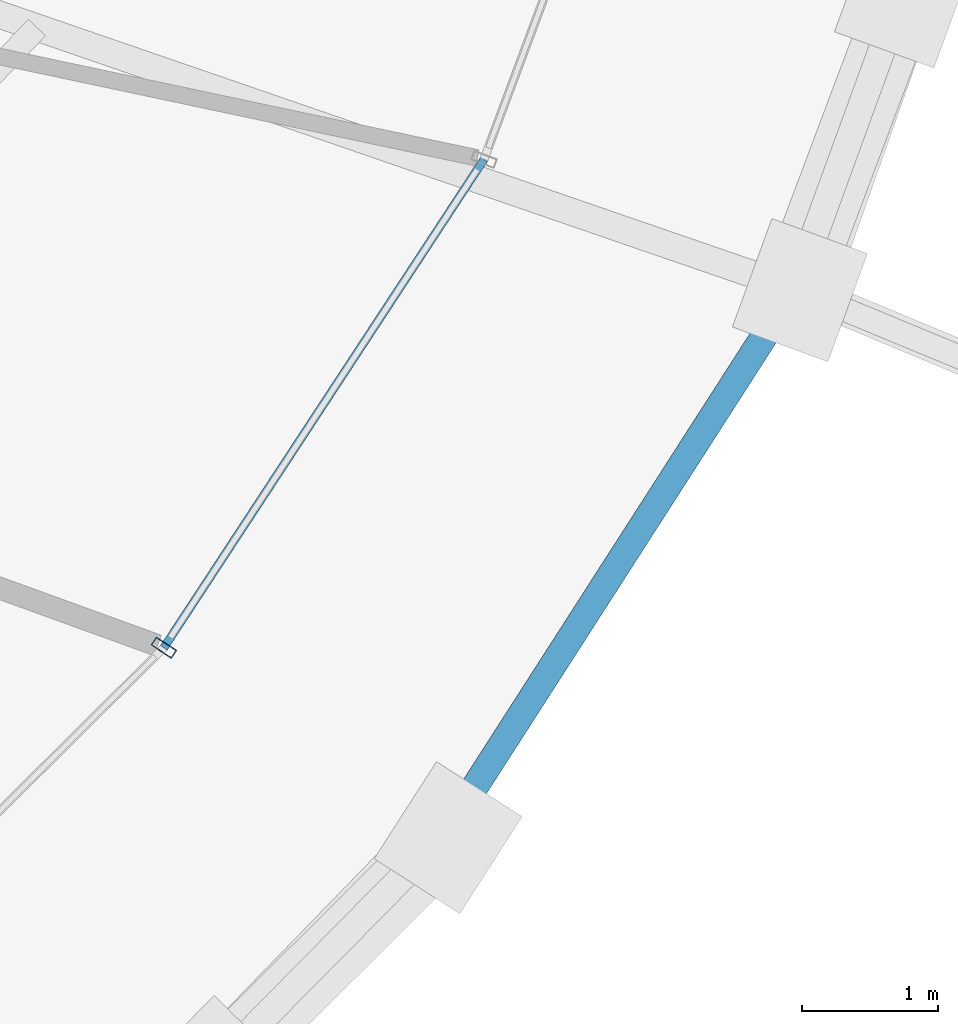
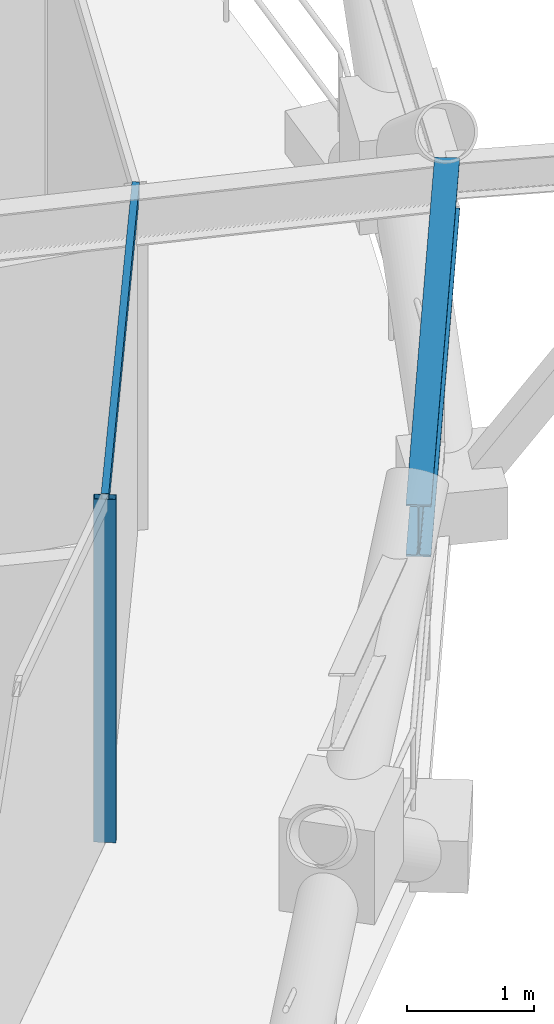
# One storey, part 8 of 20: 2 members, 1 beam, 1 element without a shape of its own.
"""IFC4 building model written with IfcOpenShell, lengths in metres."""

from ifc_helpers import new_model, si_unit, direction, frame, origin, origin_2d, place, context, subcontext, project, spatial, hollow_rectangle, i_section, extrude, material, layer, layer_set, material_profile, profile_set, type_object, element, aggregate, save


model = new_model("IFC4")

# Units and contexts
model_context = context("Model", 3, precision=1e-05, world=origin(), true_north=direction((0.0, 1.0)))
body_context = subcontext(model_context, "Body", "Model", "MODEL_VIEW")
ifc_project = project(units=[si_unit("LENGTHUNIT", "METRE"), si_unit("AREAUNIT", "SQUARE_METRE"), si_unit("VOLUMEUNIT", "CUBIC_METRE"), si_unit("PLANEANGLEUNIT", "RADIAN"), si_unit("MASSUNIT", "GRAM", prefix="KILO")], contexts=[model_context])

# Site, building, storey
site_placement = place(None, origin())
site = spatial("IfcSite", under=ifc_project, at=site_placement, CompositionType="ELEMENT")
building_placement = place(site_placement, origin())
building = spatial("IfcBuilding", under=site, at=building_placement, Name="Veldorina Hangang Commons", CompositionType="ELEMENT")
storey_placement = place(building_placement, frame((0.0, 0.0, 171.199951171875)))
storey = spatial("IfcBuildingStorey", under=building, at=storey_placement, Name="L44", CompositionType="ELEMENT", Elevation=171.199951171875)

# Beam
ifc_material_1 = material(Name="Steel SM420-TMC", Category="steel")
ifc_material_profile_1 = material_profile(ifc_material_1, i_section(OverallWidth=0.199951171875, OverallDepth=0.5, WebThickness=0.010009765625, FlangeThickness=0.01611328125, FilletRadius=0.01611328125, at=origin_2d()), Name="H-500x200x10x16")
ifc_profile_set_1 = profile_set([ifc_material_profile_1], Name="Steel SM420-TMC")
beam_type = type_object("IfcBeamType", Name="BM-RB500", PredefinedType="BEAM", material=ifc_profile_set_1)
beam_placement = place(storey_placement, frame((55.28662109375, 11.052490234375, 3.10009765625), z_axis=(0.540443205104, 0.841380497787, 0.0), x_axis=(-0.841380497787, 0.540443205104, 0.0)))
element("IfcBeam", 1, at=beam_placement, inside=storey, type_object=beam_type, Name="L44 perimeter hoop ring beam 29", PredefinedType="BEAM", context=body_context, shape_type="SweptSolid", body=[
    extrude(i_section(OverallWidth=0.199951171875, OverallDepth=0.5, WebThickness=0.010009765625, FlangeThickness=0.01611328125, FilletRadius=0.01611328125, at=origin_2d()), origin(), (0.0, 0.0, 1.0), 4.788818359375),
])

# Curtain wall, members
ifc_material_2 = material(Name="Glass Low-E Triple IGU", Category="glass")
ifc_layer = layer(ifc_material_2, 0.179931640625)
ifc_layer_set = layer_set([ifc_layer], Name="Glass Low-E Triple IGU")
curtain_wall_type = type_object("IfcCurtainWallType", Name="CW-SYS-Z2", PredefinedType="NOTDEFINED", material=ifc_layer_set)
curtain_wall_placement = place(storey_placement, origin())
curtain_wall = element("IfcCurtainWall", 2, at=curtain_wall_placement, inside=storey, type_object=curtain_wall_type, Name="L44 unitised curtain wall CW-L44-R2", PredefinedType="NOTDEFINED")
ifc_material_3 = material(Name="Aluminium Anodized AA6063-T6", Category="aluminium")
ifc_material_profile_2 = material_profile(ifc_material_3, hollow_rectangle(XDim=0.070068359375, YDim=0.179931640625, WallThickness=0.00390625, at=origin_2d()), Name="ALU-RHS-180x70x4")
ifc_profile_set_2 = profile_set([ifc_material_profile_2], Name="Aluminium Anodized AA6063-T6")
member_type_1 = type_object("IfcMemberType", Name="CW-MUL-180", PredefinedType="MULLION", material=ifc_profile_set_2)
member_1_placement = place(storey_placement, frame((53.2255859375, 12.4365234375, 0.0), z_axis=(0.0, 0.0, 1.0), x_axis=(0.548264037292, 0.836305294383, 0.0)))
member_1 = element("IfcMember", 3, at=member_1_placement, type_object=member_type_1, Name="CW-L44-R2 vertical mullion 2", PredefinedType="MULLION", context=body_context, shape_type="SweptSolid", body=[
    extrude(hollow_rectangle(XDim=0.070068359375, YDim=0.179931640625, WallThickness=0.00390625, at=origin_2d()), origin(), (0.0, 0.0, 1.0), 3.31005859375),
])
ifc_material_profile_3 = material_profile(ifc_material_3, hollow_rectangle(XDim=0.06005859375, YDim=0.139892578125, WallThickness=0.00341796875, at=origin_2d()), Name="ALU-RHS-140x60x3.5")
ifc_profile_set_3 = profile_set([ifc_material_profile_3], Name="Aluminium Anodized AA6063-T6")
member_type_2 = type_object("IfcMemberType", Name="CW-TRN-140", PredefinedType="USERDEFINED", material=ifc_profile_set_3)
member_2_placement = place(storey_placement, frame((53.2255859375, 12.4365234375, 3.27001953125), z_axis=(0.548280854888, 0.836294268881, 0.0), x_axis=(-0.836294268881, 0.548280854888, 0.0)))
member_2 = element("IfcMember", 4, at=member_2_placement, type_object=member_type_2, Name="CW-L44-R2 facet 2 transom 1", ObjectType="TRANSOM", PredefinedType="USERDEFINED", context=body_context, shape_type="SweptSolid", body=[
    extrude(hollow_rectangle(XDim=0.06005859375, YDim=0.139892578125, WallThickness=0.00341796875, at=origin_2d()), origin(), (0.0, 0.0, 1.0), 4.302734375),
])
aggregate(curtain_wall, [member_1, member_2])

save(model, "model.ifc")
